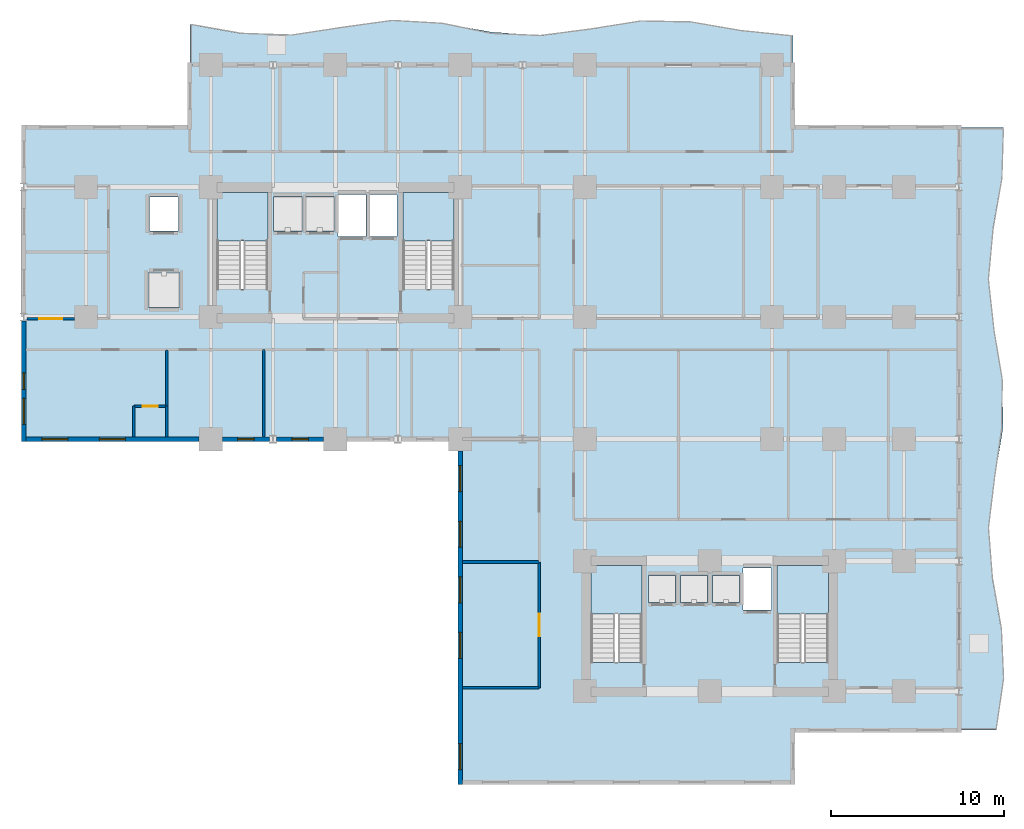
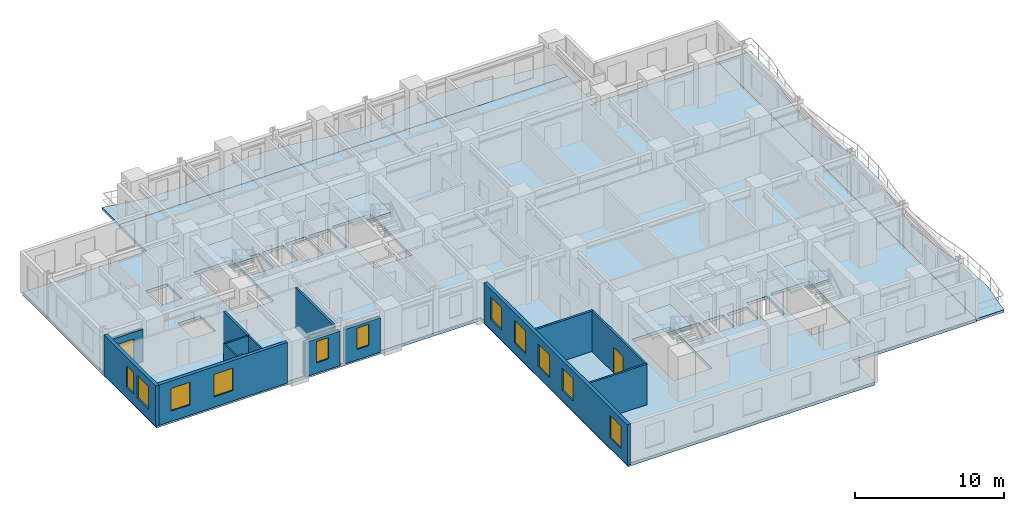
# One storey, part 2 of 12: 14 walls, 11 windows, 7 slabs, 3 doors, 14 openings, 4 elements without a shape of their own.
"""IFC4 building model written with IfcOpenShell, lengths in metres."""

from ifc_helpers import new_model, si_unit, direction, frame, frame_2d, origin, place, context, subcontext, project, spatial, polyline, rectangle, outline, extrude, material, layer, layer_set, type_object, element, fill, aggregate, save


model = new_model("IFC4")

# Units and contexts
model_context = context("Model", 3, precision=1e-05, world=origin(), true_north=direction((0.0, 1.0)))
body_context = subcontext(model_context, "Body", "Model", "MODEL_VIEW")
ifc_project = project(units=[si_unit("LENGTHUNIT", "METRE"), si_unit("AREAUNIT", "SQUARE_METRE"), si_unit("VOLUMEUNIT", "CUBIC_METRE"), si_unit("PLANEANGLEUNIT", "RADIAN"), si_unit("MASSUNIT", "GRAM", prefix="KILO")], contexts=[model_context])

# Site, building, storey
site_placement = place(None, origin())
site = spatial("IfcSite", under=ifc_project, at=site_placement, CompositionType="ELEMENT")
building_placement = place(site_placement, origin())
building = spatial("IfcBuilding", under=site, at=building_placement, Name="Kaliganga Portal Commons", CompositionType="ELEMENT")
storey_placement = place(building_placement, frame((0.0, 0.0, 69.699951171875)))
storey = spatial("IfcBuildingStorey", under=building, at=storey_placement, Name="L17", CompositionType="ELEMENT", Elevation=69.699951171875)

# Slabs
ifc_material_1 = material(Name="Concrete C40/50", Category="concrete")
ifc_layer_1 = layer(ifc_material_1, 0.2099609375)
ifc_layer_set_1 = layer_set([ifc_layer_1], Name="Concrete C40/50")
slab_type_1 = type_object("IfcSlabType", Name="SLB-BALC-210", PredefinedType="FLOOR", material=ifc_layer_set_1)
slab_1_placement = place(storey_placement, frame((0.0, 0.0, -0.2099609375)))
element("IfcSlab", 1, at=slab_1_placement, inside=storey, type_object=slab_type_1, Name="Scalloped Tree-Planter Balcony Slab L17 balc_north", PredefinedType="FLOOR", context=body_context, shape_type="SweptSolid", body=[
    extrude(outline(polyline([(48.0, 43.199951171875), (48.0, 44.886474609375), (45.10009765625, 45.18408203125), (42.199951171875, 45.68896484375), (39.300048828125, 45.743408203125), (36.39990234375, 45.276611328125), (33.5, 44.896484375), (30.60009765625, 45.098388671875), (27.699951171875, 45.619384765625), (24.800048828125, 45.780517578125), (21.89990234375, 45.371826171875), (19.0, 44.926025390625), (16.10009765625, 45.023681640625), (13.199951171875, 45.53759765625), (13.199951171875, 43.199951171875), (48.0, 43.199951171875)])), origin(), (0.0, 0.0, 1.0), 0.2099609375),
])
slab_2_placement = place(storey_placement, frame((0.0, 0.0, -0.2099609375)))
element("IfcSlab", 2, at=slab_2_placement, inside=storey, type_object=slab_type_1, Name="Scalloped Tree-Planter Balcony Slab L17 balc_east", PredefinedType="FLOOR", context=body_context, shape_type="SweptSolid", body=[
    extrude(outline(polyline([(57.60009765625, 4.800048828125), (59.743408203125, 4.800048828125), (60.17138671875, 7.699951171875), (60.041748046875, 10.60009765625), (59.523193359375, 13.5), (59.29150390625, 16.39990234375), (59.648193359375, 19.300048828125), (60.12890625, 22.199951171875), (60.107177734375, 25.10009765625), (59.611083984375, 28.0), (59.287353515625, 30.89990234375), (59.5576171875, 33.800048828125), (60.069580078125, 36.699951171875), (60.156494140625, 39.60009765625), (57.60009765625, 39.60009765625), (57.60009765625, 4.800048828125)])), origin(), (0.0, 0.0, 1.0), 0.2099609375),
])

# Stair, slab
stair_type = type_object("IfcStairType", Name="ST-CORE-DOGLEG", PredefinedType="HALF_TURN_STAIR", material=ifc_material_1)
stair_1_placement = place(storey_placement, origin())
stair_1 = element("IfcStair", 3, at=stair_1_placement, inside=storey, type_object=stair_type, Name="L17 Protected Exit Stair ST-A1", PredefinedType="HALF_TURN_STAIR")
ifc_layer_2 = layer(ifc_material_1, 0.199951171875)
ifc_layer_set_2 = layer_set([ifc_layer_2], Name="Concrete C40/50")
slab_type_2 = type_object("IfcSlabType", Name="SLB-STAIR-LND", PredefinedType="LANDING", material=ifc_layer_set_2)
slab_3_placement = place(storey_placement, frame((0.0, 0.0, 1.650146484375)))
slab_3 = element("IfcSlab", 4, at=slab_3_placement, type_object=slab_type_2, Name="ST-A1 landing 1", PredefinedType="LANDING", context=body_context, shape_type="SweptSolid", body=[
    extrude(outline(polyline([(17.699951171875, 33.050048828125), (17.699951171875, 35.85009765625), (14.75, 35.85009765625), (14.75, 33.050048828125), (17.699951171875, 33.050048828125)])), origin(), (0.0, 0.0, 1.0), 0.199951171875),
])
aggregate(stair_1, [slab_3])

stair_2_placement = place(storey_placement, origin())
stair_2 = element("IfcStair", 5, at=stair_2_placement, inside=storey, type_object=stair_type, Name="L17 Protected Exit Stair ST-A2", PredefinedType="HALF_TURN_STAIR")
slab_4_placement = place(storey_placement, frame((0.0, 0.0, 1.650146484375)))
slab_4 = element("IfcSlab", 6, at=slab_4_placement, type_object=slab_type_2, Name="ST-A2 landing 1", PredefinedType="LANDING", context=body_context, shape_type="SweptSolid", body=[
    extrude(outline(polyline([(28.449951171875, 33.050048828125), (28.449951171875, 35.85009765625), (25.5, 35.85009765625), (25.5, 33.050048828125), (28.449951171875, 33.050048828125)])), origin(), (0.0, 0.0, 1.0), 0.199951171875),
])
aggregate(stair_2, [slab_4])

stair_3_placement = place(storey_placement, origin())
stair_3 = element("IfcStair", 7, at=stair_3_placement, inside=storey, type_object=stair_type, Name="L17 Protected Exit Stair ST-B1", PredefinedType="HALF_TURN_STAIR")
slab_5_placement = place(storey_placement, frame((0.0, 0.0, 1.650146484375)))
slab_5 = element("IfcSlab", 8, at=slab_5_placement, type_object=slab_type_2, Name="ST-B1 landing 1", PredefinedType="LANDING", context=body_context, shape_type="SweptSolid", body=[
    extrude(outline(polyline([(39.300048828125, 11.5), (39.300048828125, 14.300048828125), (36.35009765625, 14.300048828125), (36.35009765625, 11.5), (39.300048828125, 11.5)])), origin(), (0.0, 0.0, 1.0), 0.199951171875),
])
aggregate(stair_3, [slab_5])

stair_4_placement = place(storey_placement, origin())
stair_4 = element("IfcStair", 9, at=stair_4_placement, inside=storey, type_object=stair_type, Name="L17 Protected Exit Stair ST-B2", PredefinedType="HALF_TURN_STAIR")
slab_6_placement = place(storey_placement, frame((0.0, 0.0, 1.650146484375)))
slab_6 = element("IfcSlab", 10, at=slab_6_placement, type_object=slab_type_2, Name="ST-B2 landing 1", PredefinedType="LANDING", context=body_context, shape_type="SweptSolid", body=[
    extrude(outline(polyline([(50.050048828125, 11.5), (50.050048828125, 14.300048828125), (47.10009765625, 14.300048828125), (47.10009765625, 11.5), (50.050048828125, 11.5)])), origin(), (0.0, 0.0, 1.0), 0.199951171875),
])
aggregate(stair_4, [slab_6])

# Slab
ifc_layer_3 = layer(ifc_material_1, 0.25)
ifc_layer_set_3 = layer_set([ifc_layer_3], Name="Concrete C40/50")
slab_type_3 = type_object("IfcSlabType", Name="SLB-TWR-250", PredefinedType="FLOOR", material=ifc_layer_set_3)
slab_7_placement = place(storey_placement, frame((0.0, 0.0, -0.25)))
element("IfcSlab", 11, at=slab_7_placement, inside=storey, type_object=slab_type_3, Name="Structural Floor Slab L17", PredefinedType="FLOOR", context=body_context, shape_type="SweptSolid", body=[
    extrude(outline(polyline([(28.800048828125, 1.800048828125), (48.0, 1.800048828125), (48.0, 4.800048828125), (57.60009765625, 4.800048828125), (57.60009765625, 39.60009765625), (48.0, 39.60009765625), (48.0, 43.199951171875), (13.199951171875, 43.199951171875), (13.199951171875, 39.60009765625), (3.60009765625, 39.60009765625), (3.60009765625, 21.60009765625), (28.800048828125, 21.60009765625), (28.800048828125, 1.800048828125)]), holes=[polyline([(14.75, 30.25390625), (14.75, 35.85009765625), (17.699951171875, 35.85009765625), (17.699951171875, 30.25390625), (14.75, 30.25390625)]), polyline([(25.5, 30.25390625), (25.5, 35.85009765625), (28.449951171875, 35.85009765625), (28.449951171875, 30.25390625), (25.5, 30.25390625)]), polyline([(36.35009765625, 8.7041015625), (36.35009765625, 14.300048828125), (39.300048828125, 14.300048828125), (39.300048828125, 8.7041015625), (36.35009765625, 8.7041015625)]), polyline([(47.10009765625, 8.7041015625), (47.10009765625, 14.300048828125), (50.050048828125, 14.300048828125), (50.050048828125, 8.7041015625), (47.10009765625, 8.7041015625)]), polyline([(18.014892578125, 33.614990234375), (18.014892578125, 35.5849609375), (19.68505859375, 35.5849609375), (19.68505859375, 33.614990234375), (18.014892578125, 33.614990234375)]), polyline([(19.864990234375, 33.614990234375), (19.864990234375, 35.5849609375), (21.534912109375, 35.5849609375), (21.534912109375, 33.614990234375), (19.864990234375, 33.614990234375)]), polyline([(10.81494140625, 29.18994140625), (10.81494140625, 31.2099609375), (12.5849609375, 31.2099609375), (12.5849609375, 29.18994140625), (10.81494140625, 29.18994140625)]), polyline([(10.864990234375, 33.614990234375), (10.864990234375, 35.5849609375), (12.534912109375, 35.5849609375), (12.534912109375, 33.614990234375), (10.864990234375, 33.614990234375)]), polyline([(21.739990234375, 33.2900390625), (21.739990234375, 35.7099609375), (23.360107421875, 35.7099609375), (23.360107421875, 33.2900390625), (21.739990234375, 33.2900390625)]), polyline([(23.5400390625, 33.2900390625), (23.5400390625, 35.7099609375), (25.159912109375, 35.7099609375), (25.159912109375, 33.2900390625), (23.5400390625, 33.2900390625)]), polyline([(39.6650390625, 12.1650390625), (39.6650390625, 13.735107421875), (41.235107421875, 13.735107421875), (41.235107421875, 12.1650390625), (39.6650390625, 12.1650390625)]), polyline([(41.514892578125, 12.1650390625), (41.514892578125, 13.735107421875), (43.0849609375, 13.735107421875), (43.0849609375, 12.1650390625), (41.514892578125, 12.1650390625)]), polyline([(43.364990234375, 12.1650390625), (43.364990234375, 13.735107421875), (44.93505859375, 13.735107421875), (44.93505859375, 12.1650390625), (43.364990234375, 12.1650390625)]), polyline([(45.139892578125, 11.739990234375), (45.139892578125, 14.159912109375), (46.760009765625, 14.159912109375), (46.760009765625, 11.739990234375), (45.139892578125, 11.739990234375)])]), origin(), (0.0, 0.0, 1.0), 0.25),
])

# Wall, openings, windows
ifc_material_2 = material(Name="Insulated Aluminium-Clad Spandrel Assembly", Category="aluminium")
ifc_layer_4 = layer(ifc_material_2, 0.260009765625)
ifc_layer_set_4 = layer_set([ifc_layer_4], Name="Insulated Aluminium-Clad Spandrel Assembly")
wall_type_1 = type_object("IfcWallType", Name="WL-EXT-SPAND-260", PredefinedType="STANDARD", material=ifc_layer_set_4)
wall_1_placement = place(storey_placement, frame((3.60009765625, 21.469970703125, 0.0), z_axis=(0.0, 0.0, 1.0), x_axis=(0.0, 1.0, 0.0)))
wall_1 = element("IfcWall", 12, at=wall_1_placement, inside=storey, type_object=wall_type_1, Name="Exterior Envelope Wall L17 P1-E09-S3", PredefinedType="STANDARD", context=body_context, shape_type="SweptSolid", body=[
    extrude(rectangle(XDim=6.9560546875, YDim=0.260009765625, at=frame_2d((3.47802734375, 0.0))), origin(), (0.0, 0.0, 1.0), 3.320068359375),
])
opening_1_placement = place(wall_1_placement, frame((0.989013671875, 0.0, 0.85009765625)))
opening_1 = element("IfcOpeningElement", 13, at=opening_1_placement, cuts=wall_1, Name="Opening W-02", PredefinedType="OPENING", context=body_context, shape_type="SweptSolid", body=[
    extrude(rectangle(XDim=1.5, YDim=1.85009765625, at=frame_2d((0.75, 0.925048828125))), frame((0.0, 0.14013671875, 0.0), z_axis=(0.0, -1.0, 0.0), x_axis=(1.0, 0.0, 0.0)), (0.0, 0.0, 1.0), 0.280029296875),
])
opening_2_placement = place(wall_1_placement, frame((3.0029296875, 0.0, 0.85009765625)))
opening_2 = element("IfcOpeningElement", 14, at=opening_2_placement, cuts=wall_1, Name="Opening W-04", PredefinedType="OPENING", context=body_context, shape_type="SweptSolid", body=[
    extrude(rectangle(XDim=0.949951171875, YDim=1.75, at=frame_2d((0.47509765625, 0.875))), frame((0.0, 0.14013671875, 0.0), z_axis=(0.0, -1.0, 0.0), x_axis=(1.0, 0.0, 0.0)), (0.0, 0.0, 1.0), 0.280029296875),
])
ifc_material_3 = material(Name="Thermally Broken Aluminium and Low-E Double Glazing", Category="aluminium")
window_type_1 = type_object("IfcWindowType", Name="WIN-NARROW-950", PartitioningType="SINGLE_PANEL", PredefinedType="WINDOW", material=ifc_material_3)
window_1_placement = place(opening_2_placement, origin())
window_1 = element("IfcWindow", 15, at=window_1_placement, inside=storey, type_object=window_type_1, Name="Facade Window L17-P1E09S3-N0", OverallHeight=1.75, OverallWidth=0.949951171875, PartitioningType="SINGLE_PANEL", PredefinedType="WINDOW", context=body_context, shape_type="SweptSolid", body=[
    extrude(rectangle(XDim=0.949951171875, YDim=1.75, at=frame_2d((0.47509765625, 0.875))), frame((0.0, 0.030029296875, 0.0), z_axis=(0.0, -1.0, 0.0), x_axis=(1.0, 0.0, 0.0)), (0.0, 0.0, 1.0), 0.06005859375),
])
fill(opening_2, window_1)
window_type_2 = type_object("IfcWindowType", Name="WIN-STD-1500", PartitioningType="DOUBLE_PANEL_VERTICAL", PredefinedType="WINDOW", material=ifc_material_3)
window_2_placement = place(opening_1_placement, origin())
window_2 = element("IfcWindow", 16, at=window_2_placement, inside=storey, type_object=window_type_2, Name="Facade Window L17-P1E09S3-00", OverallHeight=1.85009765625, OverallWidth=1.5, PartitioningType="SINGLE_PANEL", PredefinedType="WINDOW", context=body_context, shape_type="SweptSolid", body=[
    extrude(rectangle(XDim=1.5, YDim=1.85009765625, at=frame_2d((0.75, 0.925048828125))), frame((0.0, 0.030029296875, 0.0), z_axis=(0.0, -1.0, 0.0), x_axis=(1.0, 0.0, 0.0)), (0.0, 0.0, 1.0), 0.06005859375),
])
fill(opening_1, window_2)

wall_2_placement = place(storey_placement, frame((13.72412109375, 21.60009765625, 0.0), z_axis=(0.0, 0.0, 1.0), x_axis=(-1.0, 0.0, 0.0)))
wall_2 = element("IfcWall", 17, at=wall_2_placement, inside=storey, type_object=wall_type_1, Name="Exterior Envelope Wall L17 P1-E10-S1", PredefinedType="STANDARD", context=body_context, shape_type="SweptSolid", body=[
    extrude(rectangle(XDim=9.989013671875, YDim=0.260009765625, at=frame_2d((4.99462890625, 0.0))), origin(), (0.0, 0.0, 1.0), 3.320068359375),
])
opening_3_placement = place(wall_2_placement, frame((4.244384765625, 0.0, 0.85009765625)))
opening_3 = element("IfcOpeningElement", 18, at=opening_3_placement, cuts=wall_2, Name="Opening W-02", PredefinedType="OPENING", context=body_context, shape_type="SweptSolid", body=[
    extrude(rectangle(XDim=1.5, YDim=1.85009765625, at=frame_2d((0.75, 0.925048828125))), frame((0.0, 0.14013671875, 0.0), z_axis=(0.0, -1.0, 0.0), x_axis=(1.0, 0.0, 0.0)), (0.0, 0.0, 1.0), 0.280029296875),
])
opening_4_placement = place(wall_2_placement, frame((7.57421875, 0.0, 0.85009765625)))
opening_4 = element("IfcOpeningElement", 19, at=opening_4_placement, cuts=wall_2, Name="Opening W-02", PredefinedType="OPENING", context=body_context, shape_type="SweptSolid", body=[
    extrude(rectangle(XDim=1.5, YDim=1.85009765625, at=frame_2d((0.75, 0.925048828125))), frame((0.0, 0.14013671875, 0.0), z_axis=(0.0, -1.0, 0.0), x_axis=(1.0, 0.0, 0.0)), (0.0, 0.0, 1.0), 0.280029296875),
])
window_3_placement = place(opening_3_placement, origin())
window_3 = element("IfcWindow", 20, at=window_3_placement, inside=storey, type_object=window_type_2, Name="Facade Window L17-P1E10S1-01", OverallHeight=1.85009765625, OverallWidth=1.5, PartitioningType="SINGLE_PANEL", PredefinedType="WINDOW", context=body_context, shape_type="SweptSolid", body=[
    extrude(rectangle(XDim=1.5, YDim=1.85009765625, at=frame_2d((0.75, 0.925048828125))), frame((0.0, 0.030029296875, 0.0), z_axis=(0.0, -1.0, 0.0), x_axis=(1.0, 0.0, 0.0)), (0.0, 0.0, 1.0), 0.06005859375),
])
fill(opening_3, window_3)
window_4_placement = place(opening_4_placement, origin())
window_4 = element("IfcWindow", 21, at=window_4_placement, inside=storey, type_object=window_type_2, Name="Facade Window L17-P1E10S1-02", OverallHeight=1.85009765625, OverallWidth=1.5, PartitioningType="SINGLE_PANEL", PredefinedType="WINDOW", context=body_context, shape_type="SweptSolid", body=[
    extrude(rectangle(XDim=1.5, YDim=1.85009765625, at=frame_2d((0.75, 0.925048828125))), frame((0.0, 0.030029296875, 0.0), z_axis=(0.0, -1.0, 0.0), x_axis=(1.0, 0.0, 0.0)), (0.0, 0.0, 1.0), 0.06005859375),
])
fill(opening_4, window_4)

# Wall, opening, window
wall_3_placement = place(storey_placement, frame((17.791015625, 21.60009765625, 0.0), z_axis=(0.0, 0.0, 1.0), x_axis=(-1.0, 0.0, 0.0)))
wall_3 = element("IfcWall", 22, at=wall_3_placement, inside=storey, type_object=wall_type_1, Name="Exterior Envelope Wall L17 P1-E10-S2", PredefinedType="STANDARD", context=body_context, shape_type="SweptSolid", body=[
    extrude(rectangle(XDim=2.715087890625, YDim=0.260009765625, at=frame_2d((1.357421875, 0.0))), origin(), (0.0, 0.0, 1.0), 2.820068359375),
])
opening_5_placement = place(wall_3_placement, frame((0.882568359375, 0.0, 0.85009765625)))
opening_5 = element("IfcOpeningElement", 23, at=opening_5_placement, cuts=wall_3, Name="Opening W-04", PredefinedType="OPENING", context=body_context, shape_type="SweptSolid", body=[
    extrude(rectangle(XDim=0.949951171875, YDim=1.75, at=frame_2d((0.47509765625, 0.875))), frame((0.0, 0.14013671875, 0.0), z_axis=(0.0, -1.0, 0.0), x_axis=(1.0, 0.0, 0.0)), (0.0, 0.0, 1.0), 0.280029296875),
])
window_5_placement = place(opening_5_placement, origin())
window_5 = element("IfcWindow", 24, at=window_5_placement, inside=storey, type_object=window_type_1, Name="Facade Window L17-P1E10S2-00", OverallHeight=1.75, OverallWidth=0.949951171875, PartitioningType="SINGLE_PANEL", PredefinedType="WINDOW", context=body_context, shape_type="SweptSolid", body=[
    extrude(rectangle(XDim=0.949951171875, YDim=1.75, at=frame_2d((0.47509765625, 0.875))), frame((0.0, 0.030029296875, 0.0), z_axis=(0.0, -1.0, 0.0), x_axis=(1.0, 0.0, 0.0)), (0.0, 0.0, 1.0), 0.06005859375),
])
fill(opening_5, window_5)

wall_4_placement = place(storey_placement, frame((20.924072265625, 21.60009765625, 0.0), z_axis=(0.0, 0.0, 1.0), x_axis=(-1.0, 0.0, 0.0)))
wall_4 = element("IfcWall", 25, at=wall_4_placement, inside=storey, type_object=wall_type_1, Name="Exterior Envelope Wall L17 P1-E10-S3", PredefinedType="STANDARD", context=body_context, shape_type="SweptSolid", body=[
    extrude(rectangle(XDim=2.715087890625, YDim=0.260009765625, at=frame_2d((1.357421875, 0.0))), origin(), (0.0, 0.0, 1.0), 2.820068359375),
])
opening_6_placement = place(wall_4_placement, frame((0.882568359375, 0.0, 0.85009765625)))
opening_6 = element("IfcOpeningElement", 26, at=opening_6_placement, cuts=wall_4, Name="Opening W-04", PredefinedType="OPENING", context=body_context, shape_type="SweptSolid", body=[
    extrude(rectangle(XDim=0.949951171875, YDim=1.75, at=frame_2d((0.47509765625, 0.875))), frame((0.0, 0.14013671875, 0.0), z_axis=(0.0, -1.0, 0.0), x_axis=(1.0, 0.0, 0.0)), (0.0, 0.0, 1.0), 0.280029296875),
])
window_6_placement = place(opening_6_placement, origin())
window_6 = element("IfcWindow", 27, at=window_6_placement, inside=storey, type_object=window_type_1, Name="Facade Window L17-P1E10S3-00", OverallHeight=1.75, OverallWidth=0.949951171875, PartitioningType="SINGLE_PANEL", PredefinedType="WINDOW", context=body_context, shape_type="SweptSolid", body=[
    extrude(rectangle(XDim=0.949951171875, YDim=1.75, at=frame_2d((0.47509765625, 0.875))), frame((0.0, 0.030029296875, 0.0), z_axis=(0.0, -1.0, 0.0), x_axis=(1.0, 0.0, 0.0)), (0.0, 0.0, 1.0), 0.06005859375),
])
fill(opening_6, window_6)

# Wall, openings, windows
wall_5_placement = place(storey_placement, frame((28.800048828125, 1.669921875, 0.0), z_axis=(0.0, 0.0, 1.0), x_axis=(0.0, 1.0, 0.0)))
wall_5 = element("IfcWall", 28, at=wall_5_placement, inside=storey, type_object=wall_type_1, Name="Exterior Envelope Wall L17 P1-E11-S1", PredefinedType="STANDARD", context=body_context, shape_type="SweptSolid", body=[
    extrude(rectangle(XDim=19.254150390625, YDim=0.260009765625, at=frame_2d((9.626953125, 0.0))), origin(), (0.0, 0.0, 1.0), 3.320068359375),
])
opening_7_placement = place(wall_5_placement, frame((0.8544921875, 0.0, 0.85009765625)))
opening_7 = element("IfcOpeningElement", 29, at=opening_7_placement, cuts=wall_5, Name="Opening W-02", PredefinedType="OPENING", context=body_context, shape_type="SweptSolid", body=[
    extrude(rectangle(XDim=1.5, YDim=1.85009765625, at=frame_2d((0.75, 0.925048828125))), frame((0.0, 0.14013671875, 0.0), z_axis=(0.0, -1.0, 0.0), x_axis=(1.0, 0.0, 0.0)), (0.0, 0.0, 1.0), 0.280029296875),
])
opening_8_placement = place(wall_5_placement, frame((7.2724609375, 0.0, 0.85009765625)))
opening_8 = element("IfcOpeningElement", 30, at=opening_8_placement, cuts=wall_5, Name="Opening W-02", PredefinedType="OPENING", context=body_context, shape_type="SweptSolid", body=[
    extrude(rectangle(XDim=1.5, YDim=1.85009765625, at=frame_2d((0.75, 0.925048828125))), frame((0.0, 0.14013671875, 0.0), z_axis=(0.0, -1.0, 0.0), x_axis=(1.0, 0.0, 0.0)), (0.0, 0.0, 1.0), 0.280029296875),
])
opening_9_placement = place(wall_5_placement, frame((10.4814453125, 0.0, 0.85009765625)))
opening_9 = element("IfcOpeningElement", 31, at=opening_9_placement, cuts=wall_5, Name="Opening W-02", PredefinedType="OPENING", context=body_context, shape_type="SweptSolid", body=[
    extrude(rectangle(XDim=1.5, YDim=1.85009765625, at=frame_2d((0.75, 0.925048828125))), frame((0.0, 0.14013671875, 0.0), z_axis=(0.0, -1.0, 0.0), x_axis=(1.0, 0.0, 0.0)), (0.0, 0.0, 1.0), 0.280029296875),
])
opening_10_placement = place(wall_5_placement, frame((13.6904296875, 0.0, 0.85009765625)))
opening_10 = element("IfcOpeningElement", 32, at=opening_10_placement, cuts=wall_5, Name="Opening W-02", PredefinedType="OPENING", context=body_context, shape_type="SweptSolid", body=[
    extrude(rectangle(XDim=1.5, YDim=1.85009765625, at=frame_2d((0.75, 0.925048828125))), frame((0.0, 0.14013671875, 0.0), z_axis=(0.0, -1.0, 0.0), x_axis=(1.0, 0.0, 0.0)), (0.0, 0.0, 1.0), 0.280029296875),
])
opening_11_placement = place(wall_5_placement, frame((16.8994140625, 0.0, 0.85009765625)))
opening_11 = element("IfcOpeningElement", 33, at=opening_11_placement, cuts=wall_5, Name="Opening W-02", PredefinedType="OPENING", context=body_context, shape_type="SweptSolid", body=[
    extrude(rectangle(XDim=1.5, YDim=1.85009765625, at=frame_2d((0.75, 0.925048828125))), frame((0.0, 0.14013671875, 0.0), z_axis=(0.0, -1.0, 0.0), x_axis=(1.0, 0.0, 0.0)), (0.0, 0.0, 1.0), 0.280029296875),
])
window_7_placement = place(opening_7_placement, origin())
window_7 = element("IfcWindow", 34, at=window_7_placement, inside=storey, type_object=window_type_2, Name="Facade Window L17-P1E11S1-00", OverallHeight=1.85009765625, OverallWidth=1.5, PartitioningType="SINGLE_PANEL", PredefinedType="WINDOW", context=body_context, shape_type="SweptSolid", body=[
    extrude(rectangle(XDim=1.5, YDim=1.85009765625, at=frame_2d((0.75, 0.925048828125))), frame((0.0, 0.030029296875, 0.0), z_axis=(0.0, -1.0, 0.0), x_axis=(1.0, 0.0, 0.0)), (0.0, 0.0, 1.0), 0.06005859375),
])
fill(opening_7, window_7)
window_8_placement = place(opening_8_placement, origin())
window_8 = element("IfcWindow", 35, at=window_8_placement, inside=storey, type_object=window_type_2, Name="Facade Window L17-P1E11S1-02", OverallHeight=1.85009765625, OverallWidth=1.5, PartitioningType="SINGLE_PANEL", PredefinedType="WINDOW", context=body_context, shape_type="SweptSolid", body=[
    extrude(rectangle(XDim=1.5, YDim=1.85009765625, at=frame_2d((0.75, 0.925048828125))), frame((0.0, 0.030029296875, 0.0), z_axis=(0.0, -1.0, 0.0), x_axis=(1.0, 0.0, 0.0)), (0.0, 0.0, 1.0), 0.06005859375),
])
fill(opening_8, window_8)
window_9_placement = place(opening_9_placement, origin())
window_9 = element("IfcWindow", 36, at=window_9_placement, inside=storey, type_object=window_type_2, Name="Facade Window L17-P1E11S1-03", OverallHeight=1.85009765625, OverallWidth=1.5, PartitioningType="SINGLE_PANEL", PredefinedType="WINDOW", context=body_context, shape_type="SweptSolid", body=[
    extrude(rectangle(XDim=1.5, YDim=1.85009765625, at=frame_2d((0.75, 0.925048828125))), frame((0.0, 0.030029296875, 0.0), z_axis=(0.0, -1.0, 0.0), x_axis=(1.0, 0.0, 0.0)), (0.0, 0.0, 1.0), 0.06005859375),
])
fill(opening_9, window_9)
window_10_placement = place(opening_10_placement, origin())
window_10 = element("IfcWindow", 37, at=window_10_placement, inside=storey, type_object=window_type_2, Name="Facade Window L17-P1E11S1-04", OverallHeight=1.85009765625, OverallWidth=1.5, PartitioningType="SINGLE_PANEL", PredefinedType="WINDOW", context=body_context, shape_type="SweptSolid", body=[
    extrude(rectangle(XDim=1.5, YDim=1.85009765625, at=frame_2d((0.75, 0.925048828125))), frame((0.0, 0.030029296875, 0.0), z_axis=(0.0, -1.0, 0.0), x_axis=(1.0, 0.0, 0.0)), (0.0, 0.0, 1.0), 0.06005859375),
])
fill(opening_10, window_10)
window_11_placement = place(opening_11_placement, origin())
window_11 = element("IfcWindow", 38, at=window_11_placement, inside=storey, type_object=window_type_2, Name="Facade Window L17-P1E11S1-05", OverallHeight=1.85009765625, OverallWidth=1.5, PartitioningType="SINGLE_PANEL", PredefinedType="WINDOW", context=body_context, shape_type="SweptSolid", body=[
    extrude(rectangle(XDim=1.5, YDim=1.85009765625, at=frame_2d((0.75, 0.925048828125))), frame((0.0, 0.030029296875, 0.0), z_axis=(0.0, -1.0, 0.0), x_axis=(1.0, 0.0, 0.0)), (0.0, 0.0, 1.0), 0.06005859375),
])
fill(opening_11, window_11)

# Wall, opening, door
ifc_material_4 = material(Name="Fire-Rated Gypsum Board on Steel Stud", Category="steel")
ifc_layer_5 = layer(ifc_material_4, 0.14990234375)
ifc_layer_set_5 = layer_set([ifc_layer_5], Name="Fire-Rated Gypsum Board on Steel Stud")
wall_type_2 = type_object("IfcWallType", Name="WL-PART-CORR-150", PredefinedType="PARTITIONING", material=ifc_layer_set_5)
wall_6_placement = place(storey_placement, frame((33.360107421875, 7.239990234375, 0.0), z_axis=(0.0, 0.0, 1.0), x_axis=(0.0, 1.0, 0.0)))
wall_6 = element("IfcWall", 39, at=wall_6_placement, inside=storey, type_object=wall_type_2, Name="Interior Partition L17-013", PredefinedType="PARTITIONING", context=body_context, shape_type="SweptSolid", body=[
    extrude(rectangle(XDim=7.260009765625, YDim=0.14990234375, at=frame_2d((3.6298828125, 0.0))), origin(), (0.0, 0.0, 1.0), 3.320068359375),
])
opening_12_placement = place(wall_6_placement, frame((2.97998046875, 0.0, 0.0)))
opening_12 = element("IfcOpeningElement", 40, at=opening_12_placement, cuts=wall_6, Name="Opening RD-03", PredefinedType="OPENING", context=body_context, shape_type="SweptSolid", body=[
    extrude(rectangle(XDim=1.300048828125, YDim=2.1201171875, at=frame_2d((0.64990234375, 1.06005859375))), frame((0.0, 0.0849609375, 0.0), z_axis=(0.0, -1.0, 0.0), x_axis=(1.0, 0.0, 0.0)), (0.0, 0.0, 1.0), 0.169921875),
])
ifc_material_5 = material(Name="Glazed Timber Seminar Vision Door", Category="wood")
door_type_1 = type_object("IfcDoorType", Name="DR-STUDY-1300", OperationType="DOUBLE_DOOR_SINGLE_SWING", PredefinedType="DOOR", material=ifc_material_5)
door_1_placement = place(opening_12_placement, origin())
door_1 = element("IfcDoor", 41, at=door_1_placement, inside=storey, type_object=door_type_1, Name="Interior Door L17-KW01", OperationType="DOUBLE_DOOR_SINGLE_SWING", OverallHeight=2.1201171875, OverallWidth=1.300048828125, PredefinedType="DOOR", context=body_context, shape_type="SweptSolid", body=[
    extrude(rectangle(XDim=1.300048828125, YDim=2.1201171875, at=frame_2d((0.64990234375, 1.06005859375))), frame((0.0, 0.02490234375, 0.0), z_axis=(0.0, -1.0, 0.0), x_axis=(1.0, 0.0, 0.0)), (0.0, 0.0, 1.0), 0.050048828125),
])
fill(opening_12, door_1)

wall_7_placement = place(storey_placement, frame((3.80810546875, 28.56005859375, 0.0), z_axis=(0.0, 0.0, 1.0), x_axis=(1.0, 0.0, 0.0)))
wall_7 = element("IfcWall", 42, at=wall_7_placement, inside=storey, type_object=wall_type_2, Name="Interior Partition L17-029", PredefinedType="PARTITIONING", context=body_context, shape_type="SweptSolid", body=[
    extrude(rectangle(XDim=2.716796875, YDim=0.14990234375, at=frame_2d((1.3583984375, 0.0))), origin(), (0.0, 0.0, 1.0), 2.670166015625),
])
opening_13_placement = place(wall_7_placement, frame((0.70849609375, 0.0, 0.0)))
opening_13 = element("IfcOpeningElement", 43, at=opening_13_placement, cuts=wall_7, Name="Opening RD-03", PredefinedType="OPENING", context=body_context, shape_type="SweptSolid", body=[
    extrude(rectangle(XDim=1.300048828125, YDim=2.1201171875, at=frame_2d((0.64990234375, 1.06005859375))), frame((0.0, 0.0849609375, 0.0), z_axis=(0.0, -1.0, 0.0), x_axis=(1.0, 0.0, 0.0)), (0.0, 0.0, 1.0), 0.169921875),
])
door_2_placement = place(opening_13_placement, origin())
door_2 = element("IfcDoor", 44, at=door_2_placement, inside=storey, type_object=door_type_1, Name="Interior Door L17-AW01", OperationType="DOUBLE_DOOR_SINGLE_SWING", OverallHeight=2.1201171875, OverallWidth=1.300048828125, PredefinedType="DOOR", context=body_context, shape_type="SweptSolid", body=[
    extrude(rectangle(XDim=1.300048828125, YDim=2.1201171875, at=frame_2d((0.64990234375, 1.06005859375))), frame((0.0, 0.02490234375, 0.0), z_axis=(0.0, -1.0, 0.0), x_axis=(1.0, 0.0, 0.0)), (0.0, 0.0, 1.0), 0.050048828125),
])
fill(opening_13, door_2)

# Walls
wall_8_placement = place(storey_placement, frame((28.931884765625, 7.239990234375, 0.0), z_axis=(0.0, 0.0, 1.0), x_axis=(1.0, 0.0, 0.0)))
element("IfcWall", 45, at=wall_8_placement, inside=storey, type_object=wall_type_2, Name="Interior Partition L17-033", PredefinedType="PARTITIONING", context=body_context, shape_type="SweptSolid", body=[
    extrude(rectangle(XDim=4.42822265625, YDim=0.14990234375, at=frame_2d((2.214111328125, 0.0))), origin(), (0.0, 0.0, 1.0), 3.320068359375),
])
ifc_material_6 = material(Name="Twin-Stud Acoustic Gypsum Partition", Category="gypsum")
ifc_layer_6 = layer(ifc_material_6, 0.1650390625)
ifc_layer_set_6 = layer_set([ifc_layer_6], Name="Twin-Stud Acoustic Gypsum Partition")
wall_type_3 = type_object("IfcWallType", Name="WL-PART-UNIT-165", PredefinedType="PARTITIONING", material=ifc_layer_set_6)
wall_9_placement = place(storey_placement, frame((17.4599609375, 21.73193359375, 0.0), z_axis=(0.0, 0.0, 1.0), x_axis=(0.0, 1.0, 0.0)))
element("IfcWall", 46, at=wall_9_placement, inside=storey, type_object=wall_type_3, Name="Interior Partition L17-059", PredefinedType="PARTITIONING", context=body_context, shape_type="SweptSolid", body=[
    extrude(rectangle(XDim=5.028076171875, YDim=0.1650390625, at=frame_2d((2.51416015625, 0.0))), origin(), (0.0, 0.0, 1.0), 3.320068359375),
])
wall_10_placement = place(storey_placement, frame((28.931884765625, 14.5, 0.0), z_axis=(0.0, 0.0, 1.0), x_axis=(1.0, 0.0, 0.0)))
element("IfcWall", 47, at=wall_10_placement, inside=storey, type_object=wall_type_3, Name="Interior Partition L17-074", PredefinedType="PARTITIONING", context=body_context, shape_type="SweptSolid", body=[
    extrude(rectangle(XDim=4.42822265625, YDim=0.1650390625, at=frame_2d((2.214111328125, 0.0))), origin(), (0.0, 0.0, 1.0), 3.320068359375),
])
wall_11_placement = place(storey_placement, frame((11.860107421875, 23.5, 0.0), z_axis=(0.0, 0.0, 1.0), x_axis=(0.0, 1.0, 0.0)))
element("IfcWall", 48, at=wall_11_placement, inside=storey, type_object=wall_type_3, Name="Interior Partition L17-081", PredefinedType="PARTITIONING", context=body_context, shape_type="SweptSolid", body=[
    extrude(rectangle(XDim=3.260009765625, YDim=0.1650390625, at=frame_2d((1.6298828125, 0.0))), origin(), (0.0, 0.0, 1.0), 3.320068359375),
])

# Wall, opening, door
ifc_material_7 = material(Name="Cement-Board Wet-Room Partition", Category="gypsum")
ifc_layer_7 = layer(ifc_material_7, 0.135009765625)
ifc_layer_set_7 = layer_set([ifc_layer_7], Name="Cement-Board Wet-Room Partition")
wall_type_4 = type_object("IfcWallType", Name="WL-PART-WET-135", PredefinedType="PARTITIONING", material=ifc_layer_set_7)
wall_12_placement = place(storey_placement, frame((9.9599609375, 23.5, 0.0), z_axis=(0.0, 0.0, 1.0), x_axis=(1.0, 0.0, 0.0)))
wall_12 = element("IfcWall", 49, at=wall_12_placement, inside=storey, type_object=wall_type_4, Name="Interior Partition L17-001", PredefinedType="PARTITIONING", context=body_context, shape_type="SweptSolid", body=[
    extrude(rectangle(XDim=1.900146484375, YDim=0.135009765625, at=frame_2d((0.9501953125, 0.0))), origin(), (0.0, 0.0, 1.0), 3.320068359375),
])
opening_14_placement = place(wall_12_placement, frame((0.52490234375, 0.0, 0.0)))
opening_14 = element("IfcOpeningElement", 50, at=opening_14_placement, cuts=wall_12, Name="Opening WD-01", PredefinedType="OPENING", context=body_context, shape_type="SweptSolid", body=[
    extrude(rectangle(XDim=0.85009765625, YDim=2.0400390625, at=frame_2d((0.425048828125, 1.02001953125))), frame((0.0, 0.07763671875, 0.0), z_axis=(0.0, -1.0, 0.0), x_axis=(1.0, 0.0, 0.0)), (0.0, 0.0, 1.0), 0.155029296875),
])
ifc_material_8 = material(Name="Moisture-Resistant Laminate Timber Door", Category="wood")
door_type_2 = type_object("IfcDoorType", Name="DR-WET-850", OperationType="NOTDEFINED", PredefinedType="DOOR", material=ifc_material_8)
door_3_placement = place(opening_14_placement, origin())
door_3 = element("IfcDoor", 51, at=door_3_placement, inside=storey, type_object=door_type_2, Name="Interior Door L17-AS01E", OperationType="SINGLE_SWING_RIGHT", OverallHeight=2.0400390625, OverallWidth=0.85009765625, PredefinedType="DOOR", context=body_context, shape_type="SweptSolid", body=[
    extrude(rectangle(XDim=0.85009765625, YDim=2.0400390625, at=frame_2d((0.425048828125, 1.02001953125))), frame((0.0, 0.02490234375, 0.0), z_axis=(0.0, -1.0, 0.0), x_axis=(1.0, 0.0, 0.0)), (0.0, 0.0, 1.0), 0.050048828125),
])
fill(opening_14, door_3)

# Walls
for number, where, z_axis, x_axis, name in (
    (52, (9.9599609375, 21.73193359375, 0.0), (0.0, 0.0, 1.0), (0.0, 1.0, 0.0), "Interior Partition L17-002"),
    (53, (11.860107421875, 21.73193359375, 0.0), (0.0, 0.0, 1.0), (0.0, 1.0, 0.0), "Interior Partition L17-003"),
):
    element("IfcWall", number, at=place(storey_placement, frame(where, z_axis=z_axis, x_axis=x_axis)), inside=storey, type_object=wall_type_4, Name=name, PredefinedType="PARTITIONING", context=body_context, shape_type="SweptSolid", body=[
        extrude(rectangle(XDim=1.76806640625, YDim=0.135009765625, at=frame_2d((0.884033203125, 0.0))), origin(), (0.0, 0.0, 1.0), 3.320068359375),
    ])

save(model, "model.ifc")
